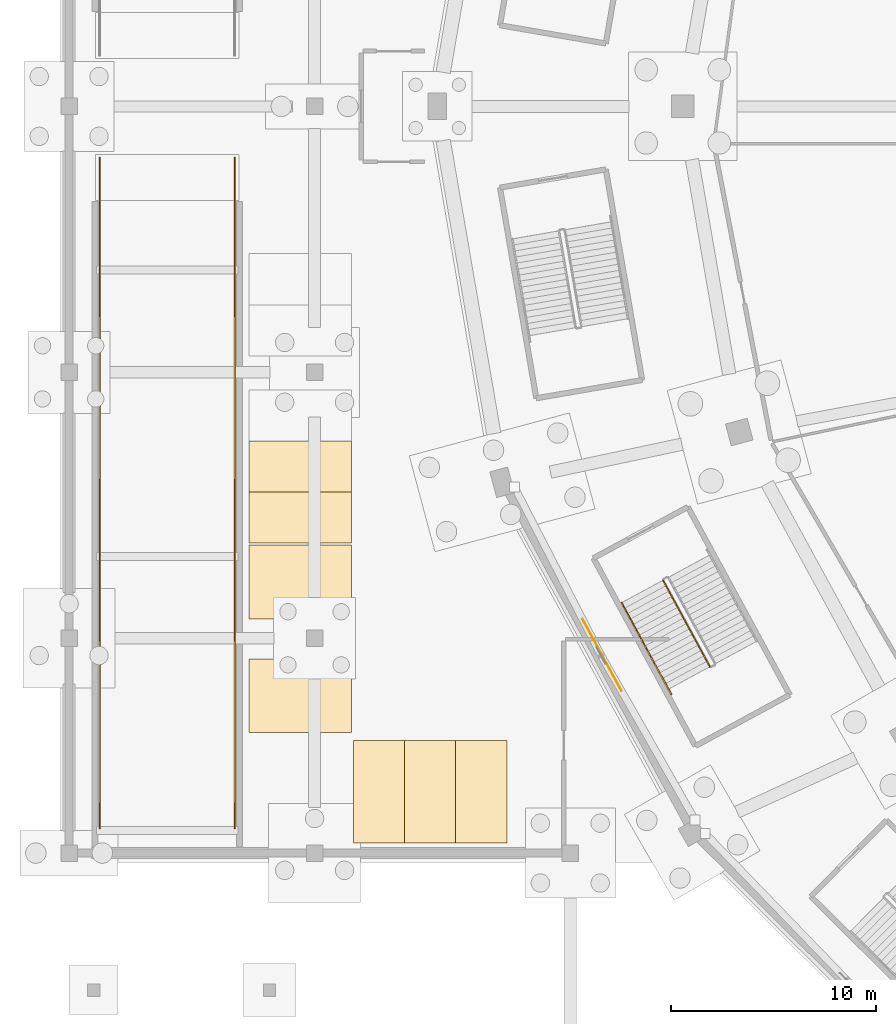
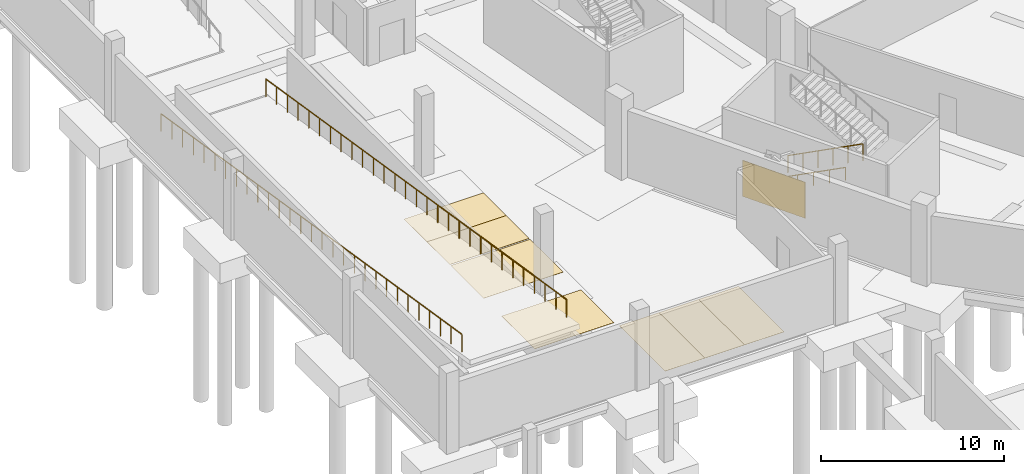
# One storey, part 53 of 74: 8 coverings, 4 railings.
"""IFC4 building model written with IfcOpenShell, lengths in metres."""

from ifc_helpers import new_model, si_unit, direction, frame, origin, origin_2d, place, context, subcontext, project, spatial, polyline, rectangle, outline, extrude, material, layer, layer_set, type_object, element, save


model = new_model("IFC4")

# Units and contexts
model_context = context("Model", 3, precision=1e-05, world=origin(), true_north=direction((0.0, 1.0)))
body_context = subcontext(model_context, "Body", "Model", "MODEL_VIEW")
ifc_project = project(units=[si_unit("LENGTHUNIT", "METRE"), si_unit("AREAUNIT", "SQUARE_METRE"), si_unit("VOLUMEUNIT", "CUBIC_METRE"), si_unit("PLANEANGLEUNIT", "RADIAN"), si_unit("MASSUNIT", "GRAM", prefix="KILO")], contexts=[model_context])

# Site, building, storey
site_placement = place(None, origin())
site = spatial("IfcSite", under=ifc_project, at=site_placement, CompositionType="ELEMENT")
building_placement = place(site_placement, origin())
building = spatial("IfcBuilding", under=site, at=building_placement, Name="Zlatoyarsky Gate Stadium", CompositionType="ELEMENT")
storey_placement = place(building_placement, frame((0.0, 0.0, -5.39990234375)))
storey = spatial("IfcBuildingStorey", under=building, at=storey_placement, Name="B1", CompositionType="ELEMENT", Elevation=-5.39990234375)

# Railings
ifc_material_1 = material(Name="Powder-coated steel tubular guardrail", Category="steel")
railing_type_1 = type_object("IfcRailingType", Name="CONCOURSE SLAB EDGE GUARDRAIL 1200", PredefinedType="GUARDRAIL", material=ifc_material_1)
railing_1_placement = place(storey_placement, frame((1.5, 77.5, 0.0)))
element("IfcRailing", 1, at=railing_1_placement, inside=storey, type_object=railing_type_1, Name="VR-01 sloped ramp slab guardrail W", PredefinedType="GUARDRAIL", context=body_context, shape_type="SweptSolid", body=[
    extrude(rectangle(XDim=0.048095703125, YDim=0.048095703125, at=origin_2d()), frame((0.0, 0.0, 1.17578125), z_axis=(0.0, -0.987622137751, 0.156851882435), x_axis=(1.0, 0.0, 0.0)), (0.0, 0.0, 1.0), 33.211181640625),
    extrude(rectangle(XDim=0.0419921875, YDim=0.0419921875, at=origin_2d()), origin(), (0.0, 0.0, 1.0), 1.15185546875),
    extrude(rectangle(XDim=0.0419921875, YDim=0.0419921875, at=origin_2d()), frame((0.0, -1.17138671875, 0.18603515625)), (0.0, 0.0, 1.0), 1.15185546875),
    extrude(rectangle(XDim=0.0419921875, YDim=0.0419921875, at=origin_2d()), frame((0.0, -2.3427734375, 0.3720703125)), (0.0, 0.0, 1.0), 1.15185546875),
    extrude(rectangle(XDim=0.0419921875, YDim=0.0419921875, at=origin_2d()), frame((0.0, -3.514404296875, 0.55810546875)), (0.0, 0.0, 1.0), 1.15185546875),
    extrude(rectangle(XDim=0.0419921875, YDim=0.0419921875, at=origin_2d()), frame((0.0, -4.685791015625, 0.744140625)), (0.0, 0.0, 1.0), 1.15185546875),
    extrude(rectangle(XDim=0.0419921875, YDim=0.0419921875, at=origin_2d()), frame((0.0, -5.857177734375, 0.93017578125)), (0.0, 0.0, 1.0), 1.15185546875),
    extrude(rectangle(XDim=0.0419921875, YDim=0.0419921875, at=origin_2d()), frame((0.0, -7.028564453125, 1.1162109375)), (0.0, 0.0, 1.0), 1.15185546875),
    extrude(rectangle(XDim=0.0419921875, YDim=0.0419921875, at=origin_2d()), frame((0.0, -8.199951171875, 1.30224609375)), (0.0, 0.0, 1.0), 1.15185546875),
    extrude(rectangle(XDim=0.0419921875, YDim=0.0419921875, at=origin_2d()), frame((0.0, -9.371337890625, 1.48828125)), (0.0, 0.0, 1.0), 1.15185546875),
    extrude(rectangle(XDim=0.0419921875, YDim=0.0419921875, at=origin_2d()), frame((0.0, -10.54296875, 1.67431640625)), (0.0, 0.0, 1.0), 1.15185546875),
    extrude(rectangle(XDim=0.0419921875, YDim=0.0419921875, at=origin_2d()), frame((0.0, -11.71435546875, 1.8603515625)), (0.0, 0.0, 1.0), 1.15185546875),
    extrude(rectangle(XDim=0.0419921875, YDim=0.0419921875, at=origin_2d()), frame((0.0, -12.8857421875, 2.04638671875)), (0.0, 0.0, 1.0), 1.15185546875),
    extrude(rectangle(XDim=0.0419921875, YDim=0.0419921875, at=origin_2d()), frame((0.0, -14.05712890625, 2.232421875)), (0.0, 0.0, 1.0), 1.15185546875),
    extrude(rectangle(XDim=0.0419921875, YDim=0.0419921875, at=origin_2d()), frame((0.0, -15.228515625, 2.41845703125)), (0.0, 0.0, 1.0), 1.15185546875),
    extrude(rectangle(XDim=0.0419921875, YDim=0.0419921875, at=origin_2d()), frame((0.0, -16.39990234375, 2.6044921875)), (0.0, 0.0, 1.0), 1.15185546875),
    extrude(rectangle(XDim=0.0419921875, YDim=0.0419921875, at=origin_2d()), frame((0.0, -17.571533203125, 2.790771484375)), (0.0, 0.0, 1.0), 1.15185546875),
    extrude(rectangle(XDim=0.0419921875, YDim=0.0419921875, at=origin_2d()), frame((0.0, -18.742919921875, 2.976806640625)), (0.0, 0.0, 1.0), 1.15185546875),
    extrude(rectangle(XDim=0.0419921875, YDim=0.0419921875, at=origin_2d()), frame((0.0, -19.914306640625, 3.162841796875)), (0.0, 0.0, 1.0), 1.15185546875),
    extrude(rectangle(XDim=0.0419921875, YDim=0.0419921875, at=origin_2d()), frame((0.0, -21.085693359375, 3.348876953125)), (0.0, 0.0, 1.0), 1.15185546875),
    extrude(rectangle(XDim=0.0419921875, YDim=0.0419921875, at=origin_2d()), frame((0.0, -22.257080078125, 3.534912109375)), (0.0, 0.0, 1.0), 1.15185546875),
    extrude(rectangle(XDim=0.0419921875, YDim=0.0419921875, at=origin_2d()), frame((0.0, -23.4287109375, 3.720947265625)), (0.0, 0.0, 1.0), 1.15185546875),
    extrude(rectangle(XDim=0.0419921875, YDim=0.0419921875, at=origin_2d()), frame((0.0, -24.60009765625, 3.906982421875)), (0.0, 0.0, 1.0), 1.15185546875),
    extrude(rectangle(XDim=0.0419921875, YDim=0.0419921875, at=origin_2d()), frame((0.0, -25.771484375, 4.093017578125)), (0.0, 0.0, 1.0), 1.15185546875),
    extrude(rectangle(XDim=0.0419921875, YDim=0.0419921875, at=origin_2d()), frame((0.0, -26.94287109375, 4.279052734375)), (0.0, 0.0, 1.0), 1.15185546875),
    extrude(rectangle(XDim=0.0419921875, YDim=0.0419921875, at=origin_2d()), frame((0.0, -28.1142578125, 4.465087890625)), (0.0, 0.0, 1.0), 1.15185546875),
    extrude(rectangle(XDim=0.0419921875, YDim=0.0419921875, at=origin_2d()), frame((0.0, -29.28564453125, 4.651123046875)), (0.0, 0.0, 1.0), 1.15185546875),
    extrude(rectangle(XDim=0.0419921875, YDim=0.0419921875, at=origin_2d()), frame((0.0, -30.457275390625, 4.837158203125)), (0.0, 0.0, 1.0), 1.15185546875),
    extrude(rectangle(XDim=0.0419921875, YDim=0.0419921875, at=origin_2d()), frame((0.0, -31.628662109375, 5.023193359375)), (0.0, 0.0, 1.0), 1.15185546875),
    extrude(rectangle(XDim=0.0419921875, YDim=0.0419921875, at=origin_2d()), frame((0.0, -32.800048828125, 5.209228515625)), (0.0, 0.0, 1.0), 1.15185546875),
])
railing_2_placement = place(storey_placement, frame((8.10009765625, 77.5, 0.0)))
element("IfcRailing", 2, at=railing_2_placement, inside=storey, type_object=railing_type_1, Name="VR-01 sloped ramp slab guardrail E", PredefinedType="GUARDRAIL", context=body_context, shape_type="SweptSolid", body=[
    extrude(rectangle(XDim=0.048095703125, YDim=0.048095703125, at=origin_2d()), frame((0.0, 0.0, 1.17578125), z_axis=(0.0, -0.987622137751, 0.156851882435), x_axis=(1.0, 0.0, 0.0)), (0.0, 0.0, 1.0), 33.211181640625),
    extrude(rectangle(XDim=0.0419921875, YDim=0.0419921875, at=origin_2d()), origin(), (0.0, 0.0, 1.0), 1.15185546875),
    extrude(rectangle(XDim=0.0419921875, YDim=0.0419921875, at=origin_2d()), frame((0.0, -1.17138671875, 0.18603515625)), (0.0, 0.0, 1.0), 1.15185546875),
    extrude(rectangle(XDim=0.0419921875, YDim=0.0419921875, at=origin_2d()), frame((0.0, -2.3427734375, 0.3720703125)), (0.0, 0.0, 1.0), 1.15185546875),
    extrude(rectangle(XDim=0.0419921875, YDim=0.0419921875, at=origin_2d()), frame((0.0, -3.514404296875, 0.55810546875)), (0.0, 0.0, 1.0), 1.15185546875),
    extrude(rectangle(XDim=0.0419921875, YDim=0.0419921875, at=origin_2d()), frame((0.0, -4.685791015625, 0.744140625)), (0.0, 0.0, 1.0), 1.15185546875),
    extrude(rectangle(XDim=0.0419921875, YDim=0.0419921875, at=origin_2d()), frame((0.0, -5.857177734375, 0.93017578125)), (0.0, 0.0, 1.0), 1.15185546875),
    extrude(rectangle(XDim=0.0419921875, YDim=0.0419921875, at=origin_2d()), frame((0.0, -7.028564453125, 1.1162109375)), (0.0, 0.0, 1.0), 1.15185546875),
    extrude(rectangle(XDim=0.0419921875, YDim=0.0419921875, at=origin_2d()), frame((0.0, -8.199951171875, 1.30224609375)), (0.0, 0.0, 1.0), 1.15185546875),
    extrude(rectangle(XDim=0.0419921875, YDim=0.0419921875, at=origin_2d()), frame((0.0, -9.371337890625, 1.48828125)), (0.0, 0.0, 1.0), 1.15185546875),
    extrude(rectangle(XDim=0.0419921875, YDim=0.0419921875, at=origin_2d()), frame((0.0, -10.54296875, 1.67431640625)), (0.0, 0.0, 1.0), 1.15185546875),
    extrude(rectangle(XDim=0.0419921875, YDim=0.0419921875, at=origin_2d()), frame((0.0, -11.71435546875, 1.8603515625)), (0.0, 0.0, 1.0), 1.15185546875),
    extrude(rectangle(XDim=0.0419921875, YDim=0.0419921875, at=origin_2d()), frame((0.0, -12.8857421875, 2.04638671875)), (0.0, 0.0, 1.0), 1.15185546875),
    extrude(rectangle(XDim=0.0419921875, YDim=0.0419921875, at=origin_2d()), frame((0.0, -14.05712890625, 2.232421875)), (0.0, 0.0, 1.0), 1.15185546875),
    extrude(rectangle(XDim=0.0419921875, YDim=0.0419921875, at=origin_2d()), frame((0.0, -15.228515625, 2.41845703125)), (0.0, 0.0, 1.0), 1.15185546875),
    extrude(rectangle(XDim=0.0419921875, YDim=0.0419921875, at=origin_2d()), frame((0.0, -16.39990234375, 2.6044921875)), (0.0, 0.0, 1.0), 1.15185546875),
    extrude(rectangle(XDim=0.0419921875, YDim=0.0419921875, at=origin_2d()), frame((0.0, -17.571533203125, 2.790771484375)), (0.0, 0.0, 1.0), 1.15185546875),
    extrude(rectangle(XDim=0.0419921875, YDim=0.0419921875, at=origin_2d()), frame((0.0, -18.742919921875, 2.976806640625)), (0.0, 0.0, 1.0), 1.15185546875),
    extrude(rectangle(XDim=0.0419921875, YDim=0.0419921875, at=origin_2d()), frame((0.0, -19.914306640625, 3.162841796875)), (0.0, 0.0, 1.0), 1.15185546875),
    extrude(rectangle(XDim=0.0419921875, YDim=0.0419921875, at=origin_2d()), frame((0.0, -21.085693359375, 3.348876953125)), (0.0, 0.0, 1.0), 1.15185546875),
    extrude(rectangle(XDim=0.0419921875, YDim=0.0419921875, at=origin_2d()), frame((0.0, -22.257080078125, 3.534912109375)), (0.0, 0.0, 1.0), 1.15185546875),
    extrude(rectangle(XDim=0.0419921875, YDim=0.0419921875, at=origin_2d()), frame((0.0, -23.4287109375, 3.720947265625)), (0.0, 0.0, 1.0), 1.15185546875),
    extrude(rectangle(XDim=0.0419921875, YDim=0.0419921875, at=origin_2d()), frame((0.0, -24.60009765625, 3.906982421875)), (0.0, 0.0, 1.0), 1.15185546875),
    extrude(rectangle(XDim=0.0419921875, YDim=0.0419921875, at=origin_2d()), frame((0.0, -25.771484375, 4.093017578125)), (0.0, 0.0, 1.0), 1.15185546875),
    extrude(rectangle(XDim=0.0419921875, YDim=0.0419921875, at=origin_2d()), frame((0.0, -26.94287109375, 4.279052734375)), (0.0, 0.0, 1.0), 1.15185546875),
    extrude(rectangle(XDim=0.0419921875, YDim=0.0419921875, at=origin_2d()), frame((0.0, -28.1142578125, 4.465087890625)), (0.0, 0.0, 1.0), 1.15185546875),
    extrude(rectangle(XDim=0.0419921875, YDim=0.0419921875, at=origin_2d()), frame((0.0, -29.28564453125, 4.651123046875)), (0.0, 0.0, 1.0), 1.15185546875),
    extrude(rectangle(XDim=0.0419921875, YDim=0.0419921875, at=origin_2d()), frame((0.0, -30.457275390625, 4.837158203125)), (0.0, 0.0, 1.0), 1.15185546875),
    extrude(rectangle(XDim=0.0419921875, YDim=0.0419921875, at=origin_2d()), frame((0.0, -31.628662109375, 5.023193359375)), (0.0, 0.0, 1.0), 1.15185546875),
    extrude(rectangle(XDim=0.0419921875, YDim=0.0419921875, at=origin_2d()), frame((0.0, -32.800048828125, 5.209228515625)), (0.0, 0.0, 1.0), 1.15185546875),
])

# Coverings
ifc_material_2 = material(Name="Reflective epoxy resin parking bay marking")
ifc_layer_1 = layer(ifc_material_2, 0.010009765625)
ifc_layer_set_1 = layer_set([ifc_layer_1], Name="Reflective epoxy resin parking bay marking")
covering_type_1 = type_object("IfcCoveringType", Name="EPOXY PAINTED PARKING BAY MARKING 10", PredefinedType="USERDEFINED", material=ifc_layer_set_1)
covering_1_placement = place(storey_placement, origin())
element("IfcCovering", 3, at=covering_1_placement, inside=storey, type_object=covering_type_1, Name="VIP Parking Bay Marking PK-VIP-01", ObjectType="ROAD MARKING", PredefinedType="USERDEFINED", context=body_context, shape_type="SweptSolid", body=[
    extrude(outline(polyline([(13.89990234375, 44.0), (16.39990234375, 44.0), (16.39990234375, 49.0), (13.89990234375, 49.0), (13.89990234375, 44.0)])), origin(), (0.0, 0.0, 1.0), 0.010009765625),
])
covering_2_placement = place(storey_placement, origin())
element("IfcCovering", 4, at=covering_2_placement, inside=storey, type_object=covering_type_1, Name="VIP Parking Bay Marking PK-VIP-02", ObjectType="ROAD MARKING", PredefinedType="USERDEFINED", context=body_context, shape_type="SweptSolid", body=[
    extrude(outline(polyline([(16.39990234375, 44.0), (18.89990234375, 44.0), (18.89990234375, 49.0), (16.39990234375, 49.0), (16.39990234375, 44.0)])), origin(), (0.0, 0.0, 1.0), 0.010009765625),
])
covering_3_placement = place(storey_placement, origin())
element("IfcCovering", 5, at=covering_3_placement, inside=storey, type_object=covering_type_1, Name="VIP Parking Bay Marking PK-VIP-03", ObjectType="ROAD MARKING", PredefinedType="USERDEFINED", context=body_context, shape_type="SweptSolid", body=[
    extrude(outline(polyline([(18.89990234375, 44.0), (21.39990234375, 44.0), (21.39990234375, 49.0), (18.89990234375, 49.0), (18.89990234375, 44.0)])), origin(), (0.0, 0.0, 1.0), 0.010009765625),
])
covering_4_placement = place(storey_placement, origin())
element("IfcCovering", 6, at=covering_4_placement, inside=storey, type_object=covering_type_1, Name="VIP Parking Bay Marking PK-VIP-07", ObjectType="ROAD MARKING", PredefinedType="USERDEFINED", context=body_context, shape_type="SweptSolid", body=[
    extrude(outline(polyline([(8.800048828125, 58.64990234375), (13.800048828125, 58.64990234375), (13.800048828125, 61.14990234375), (8.800048828125, 61.14990234375), (8.800048828125, 58.64990234375)])), origin(), (0.0, 0.0, 1.0), 0.010009765625),
])
covering_5_placement = place(storey_placement, origin())
element("IfcCovering", 7, at=covering_5_placement, inside=storey, type_object=covering_type_1, Name="VIP Parking Bay Marking PK-VIP-08", ObjectType="ROAD MARKING", PredefinedType="USERDEFINED", context=body_context, shape_type="SweptSolid", body=[
    extrude(outline(polyline([(8.800048828125, 61.14990234375), (13.800048828125, 61.14990234375), (13.800048828125, 63.64990234375), (8.800048828125, 63.64990234375), (8.800048828125, 61.14990234375)])), origin(), (0.0, 0.0, 1.0), 0.010009765625),
])
covering_6_placement = place(storey_placement, origin())
element("IfcCovering", 8, at=covering_6_placement, inside=storey, type_object=covering_type_1, Name="Accessible VIP Parking Bay Marking PK-ACC-01", ObjectType="ROAD MARKING", PredefinedType="USERDEFINED", context=body_context, shape_type="SweptSolid", body=[
    extrude(outline(polyline([(8.800048828125, 49.39990234375), (13.800048828125, 49.39990234375), (13.800048828125, 53.0), (8.800048828125, 53.0), (8.800048828125, 49.39990234375)])), origin(), (0.0, 0.0, 1.0), 0.010009765625),
])
covering_7_placement = place(storey_placement, origin())
element("IfcCovering", 9, at=covering_7_placement, inside=storey, type_object=covering_type_1, Name="Accessible VIP Parking Bay Marking PK-ACC-02", ObjectType="ROAD MARKING", PredefinedType="USERDEFINED", context=body_context, shape_type="SweptSolid", body=[
    extrude(outline(polyline([(8.800048828125, 54.949951171875), (13.800048828125, 54.949951171875), (13.800048828125, 58.550048828125), (8.800048828125, 58.550048828125), (8.800048828125, 54.949951171875)])), origin(), (0.0, 0.0, 1.0), 0.010009765625),
])
ifc_material_3 = material(Name="Fire-retardant birch timber acoustic wall panel", Category="wood")
ifc_layer_2 = layer(ifc_material_3, 0.034912109375)
ifc_layer_set_2 = layer_set([ifc_layer_2], Name="Fire-retardant birch timber acoustic wall panel")
covering_type_2 = type_object("IfcCoveringType", Name="FLUTED BIRCH ACOUSTIC WALL CLADDING 35", PredefinedType="CLADDING", material=ifc_layer_set_2)
covering_8_placement = place(storey_placement, frame((26.057861328125, 53.188232421875, 1.099853515625), z_axis=(0.0, 0.0, 1.0), x_axis=(0.476952507557, -0.878929067408, 0.0)))
element("IfcCovering", 10, at=covering_8_placement, inside=storey, type_object=covering_type_2, Name="B1 acoustic timber wall cladding 05", PredefinedType="CLADDING", context=body_context, shape_type="SweptSolid", body=[
    extrude(rectangle(XDim=4.0, YDim=0.034912109375, at=origin_2d()), origin(), (0.0, 0.0, 1.0), 2.39990234375),
])

# Railings
ifc_material_4 = material(Name="Powder-coated steel stair guardrail", Category="steel")
railing_type_2 = type_object("IfcRailingType", Name="PAINTED STEEL STAIR WELL GUARDRAIL 1150", PredefinedType="GUARDRAIL", material=ifc_material_4)
railing_3_placement = place(storey_placement, frame((29.03515625, 56.83349609375, 0.15869140625)))
element("IfcRailing", 11, at=railing_3_placement, inside=storey, type_object=railing_type_2, Name="ST-15 B1 stair guard 1", PredefinedType="GUARDRAIL", context=body_context, shape_type="SweptSolid", body=[
    extrude(rectangle(XDim=0.048095703125, YDim=0.048095703125, at=origin_2d()), frame((0.0, 0.0, 1.1259765625), z_axis=(0.421466855594, -0.776809804983, 0.467901930448), x_axis=(0.878962478599, 0.4768909322, 0.0)), (0.0, 0.0, 1.0), 5.43115234375),
    extrude(rectangle(XDim=0.0419921875, YDim=0.0419921875, at=origin_2d()), origin(), (0.0, 0.0, 1.0), 1.101806640625),
    extrude(rectangle(XDim=0.0419921875, YDim=0.0419921875, at=origin_2d()), frame((0.457763671875, -0.84375, 0.50830078125)), (0.0, 0.0, 1.0), 1.101806640625),
    extrude(rectangle(XDim=0.0419921875, YDim=0.0419921875, at=origin_2d()), frame((0.91552734375, -1.6875, 1.0166015625)), (0.0, 0.0, 1.0), 1.101806640625),
    extrude(rectangle(XDim=0.0419921875, YDim=0.0419921875, at=origin_2d()), frame((1.37353515625, -2.531494140625, 1.524658203125)), (0.0, 0.0, 1.0), 1.101806640625),
    extrude(rectangle(XDim=0.0419921875, YDim=0.0419921875, at=origin_2d()), frame((1.831298828125, -3.375244140625, 2.032958984375)), (0.0, 0.0, 1.0), 1.101806640625),
    extrude(rectangle(XDim=0.0419921875, YDim=0.0419921875, at=origin_2d()), frame((2.2890625, -4.218994140625, 2.541259765625)), (0.0, 0.0, 1.0), 1.101806640625),
])
ifc_material_5 = material(Name="Brushed stainless steel 316 handrail", Category="steel")
railing_type_3 = type_object("IfcRailingType", Name="STAINLESS STEEL TUBULAR HANDRAIL 900", PredefinedType="HANDRAIL", material=ifc_material_5)
railing_4_placement = place(storey_placement, frame((27.013427734375, 55.736572265625, 0.162841796875)))
element("IfcRailing", 12, at=railing_4_placement, inside=storey, type_object=railing_type_3, Name="ST-15 B1 stair handrail 1", PredefinedType="HANDRAIL", context=body_context, shape_type="SweptSolid", body=[
    extrude(rectangle(XDim=0.048095703125, YDim=0.048095703125, at=origin_2d()), frame((0.0, 0.0, 0.8759765625), z_axis=(0.421472414376, -0.776817406179, 0.467884303411), x_axis=(0.878961798155, 0.476892186331, 0.0)), (0.0, 0.0, 1.0), 5.7705078125),
    extrude(rectangle(XDim=0.0419921875, YDim=0.0419921875, at=origin_2d()), origin(), (0.0, 0.0, 1.0), 0.851806640625),
    extrude(rectangle(XDim=0.0419921875, YDim=0.0419921875, at=origin_2d()), frame((0.486328125, -0.896484375, 0.5400390625)), (0.0, 0.0, 1.0), 0.851806640625),
    extrude(rectangle(XDim=0.0419921875, YDim=0.0419921875, at=origin_2d()), frame((0.972900390625, -1.79296875, 1.080078125)), (0.0, 0.0, 1.0), 0.851806640625),
    extrude(rectangle(XDim=0.0419921875, YDim=0.0419921875, at=origin_2d()), frame((1.459228515625, -2.689697265625, 1.619873046875)), (0.0, 0.0, 1.0), 0.851806640625),
    extrude(rectangle(XDim=0.0419921875, YDim=0.0419921875, at=origin_2d()), frame((1.94580078125, -3.586181640625, 2.159912109375)), (0.0, 0.0, 1.0), 0.851806640625),
    extrude(rectangle(XDim=0.0419921875, YDim=0.0419921875, at=origin_2d()), frame((2.43212890625, -4.482666015625, 2.699951171875)), (0.0, 0.0, 1.0), 0.851806640625),
])

save(model, "model.ifc")
